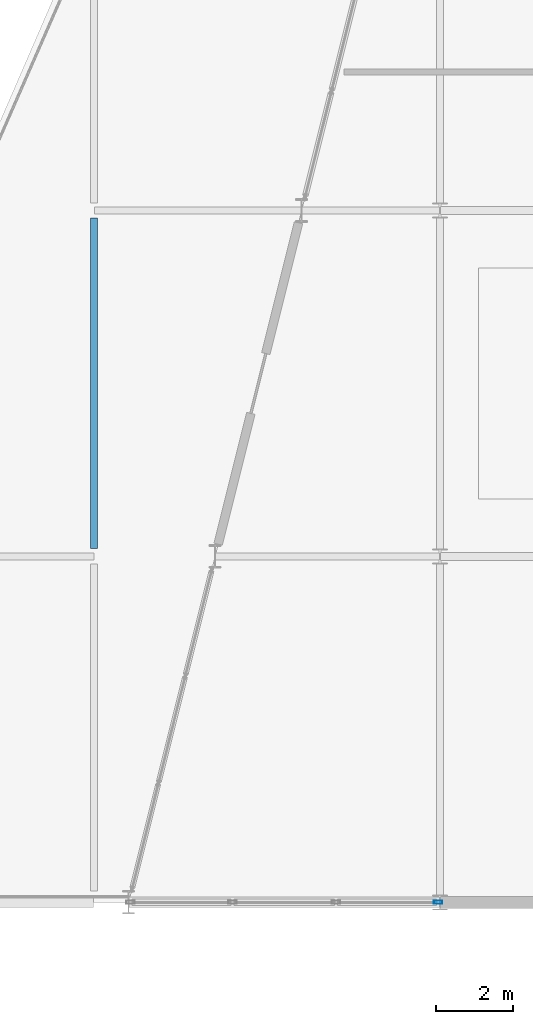
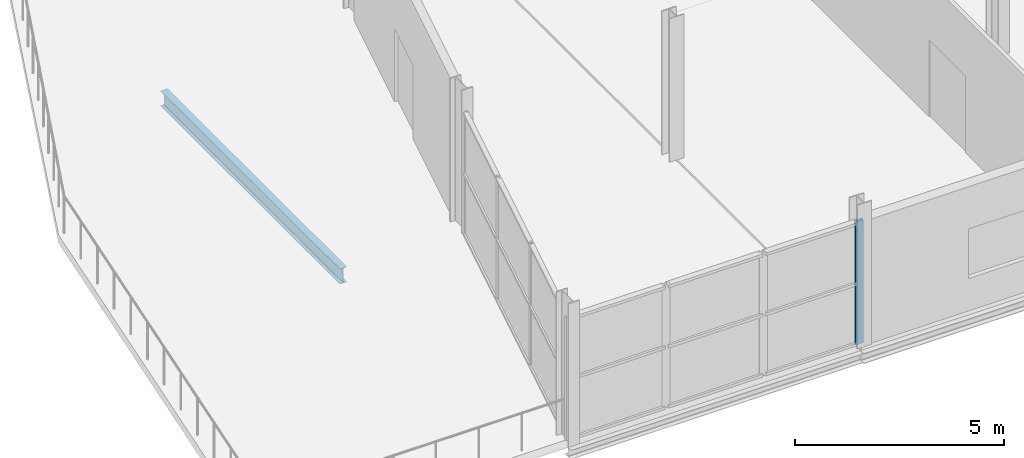
# One storey, part 11 of 44: 1 beam, 1 member, 1 element without a shape of its own.
"""IFC4 building model written with IfcOpenShell, lengths in metres."""

from ifc_helpers import new_model, si_unit, direction, frame, origin, origin_2d, place, context, subcontext, project, spatial, hollow_rectangle, i_section, extrude, material, layer, layer_set, material_profile, profile_set, type_object, element, aggregate, save


model = new_model("IFC4")

# Units and contexts
model_context = context("Model", 3, precision=1e-05, world=origin(), true_north=direction((0.0, 1.0)))
body_context = subcontext(model_context, "Body", "Model", "MODEL_VIEW")
ifc_project = project(units=[si_unit("LENGTHUNIT", "METRE"), si_unit("AREAUNIT", "SQUARE_METRE"), si_unit("VOLUMEUNIT", "CUBIC_METRE"), si_unit("PLANEANGLEUNIT", "RADIAN"), si_unit("MASSUNIT", "GRAM", prefix="KILO")], contexts=[model_context])

# Site, building, storey
site_placement = place(None, origin())
site = spatial("IfcSite", under=ifc_project, at=site_placement, CompositionType="ELEMENT")
building_placement = place(site_placement, origin())
building = spatial("IfcBuilding", under=site, at=building_placement, Name="Deido Ridge Mobility Hub", CompositionType="ELEMENT")
storey_placement = place(building_placement, frame((0.0, 0.0, 25.199951171875)))
storey = spatial("IfcBuildingStorey", under=building, at=storey_placement, Name="L06", CompositionType="ELEMENT", Elevation=25.199951171875)

# Beam
ifc_material_1 = material(Name="Steel S355J2 EN 10025-2", Category="steel")
ifc_material_profile_1 = material_profile(ifc_material_1, i_section(OverallWidth=0.18994140625, OverallDepth=0.449951171875, WebThickness=0.009521484375, FlangeThickness=0.0146484375, FilletRadius=0.02099609375, at=origin_2d()), Name="IPE 450")
ifc_profile_set_1 = profile_set([ifc_material_profile_1], Name="Steel S355J2 EN 10025-2")
beam_type = type_object("IfcBeamType", Name="BM-IPE450", PredefinedType="BEAM", material=ifc_profile_set_1)
beam_placement = place(storey_placement, frame((135.0, 9.199951171875, -0.46484375), z_axis=(0.0, 1.0, 0.0), x_axis=(-1.0, 0.0, 0.0)))
element("IfcBeam", 1, at=beam_placement, inside=storey, type_object=beam_type, Name="Floor beam B4", PredefinedType="BEAM", context=body_context, shape_type="SweptSolid", body=[
    extrude(i_section(OverallWidth=0.18994140625, OverallDepth=0.449951171875, WebThickness=0.009521484375, FlangeThickness=0.0146484375, FilletRadius=0.02099609375, at=origin_2d()), origin(), (0.0, 0.0, 1.0), 8.60009765625),
])

# Curtain wall, member
ifc_material_2 = material(Name="Anodised aluminium EN AW-6063 T6", Category="aluminium")
ifc_layer = layer(ifc_material_2, 0.2548828125, Name="Anodised aluminium EN AW-6063 T6")
ifc_layer_set = layer_set([ifc_layer], Name="Anodised aluminium EN AW-6063 T6")
curtain_wall_type = type_object("IfcCurtainWallType", Name="CW-UF-7", PredefinedType="USERDEFINED", material=ifc_layer_set)
curtain_wall_placement = place(storey_placement, origin())
curtain_wall = element("IfcCurtainWall", 2, at=curtain_wall_placement, inside=storey, type_object=curtain_wall_type, Name="Unitised curtain wall CW7", ObjectType="UNITISED FACADE", PredefinedType="USERDEFINED")
ifc_material_profile_2 = material_profile(ifc_material_2, hollow_rectangle(XDim=0.080078125, YDim=0.219970703125, WallThickness=0.00390625, at=origin_2d()), Name="RHS 80x220x4")
ifc_profile_set_2 = profile_set([ifc_material_profile_2], Name="Anodised aluminium EN AW-6063 T6")
member_type = type_object("IfcMemberType", Name="MEM-MUL-80X220", PredefinedType="MULLION", material=ifc_profile_set_2)
member_placement = place(storey_placement, frame((143.951416015625, 0.0, 0.0), z_axis=(0.0, 0.0, 1.0), x_axis=(0.0, 1.0, 0.0)))
member = element("IfcMember", 3, at=member_placement, type_object=member_type, Name="CW7 mullion 4", PredefinedType="MULLION", context=body_context, shape_type="SweptSolid", body=[
    extrude(hollow_rectangle(XDim=0.080078125, YDim=0.219970703125, WallThickness=0.00390625, at=origin_2d()), origin(), (0.0, 0.0, 1.0), 3.60009765625),
])
aggregate(curtain_wall, [member])

save(model, "model.ifc")
